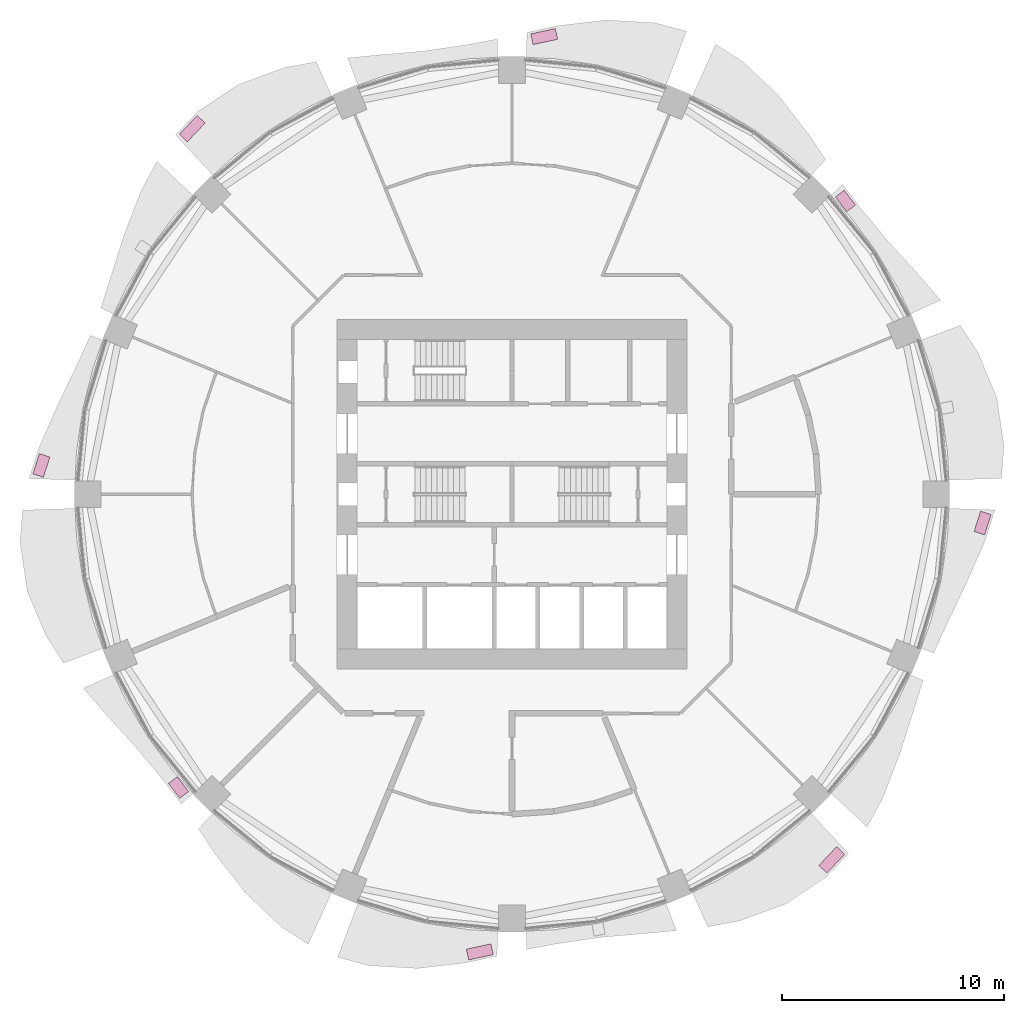
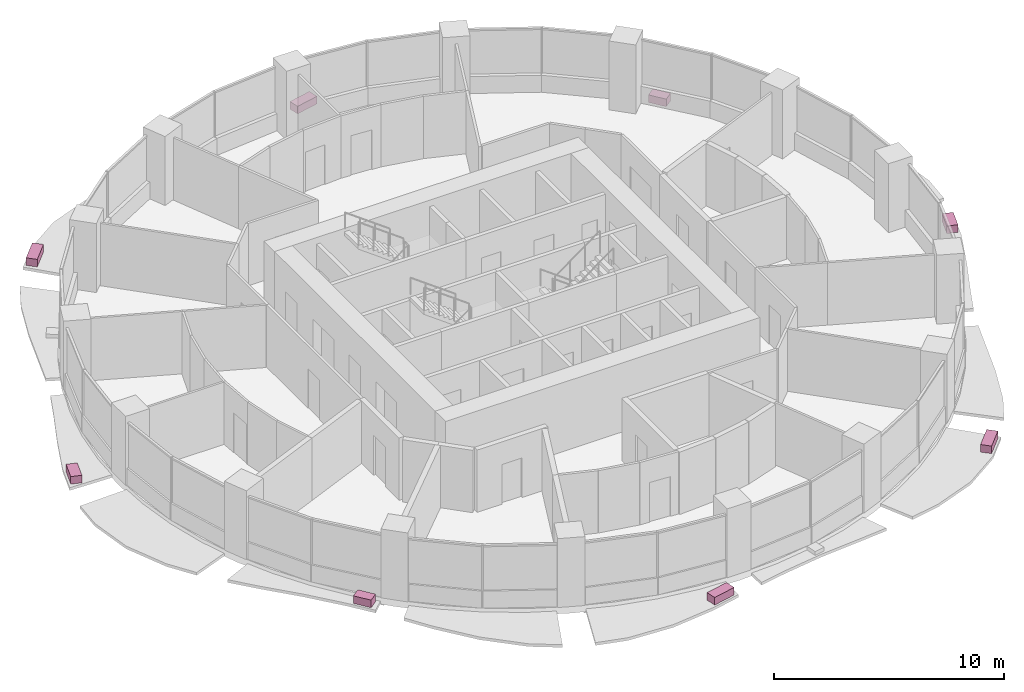
# One storey, part 15 of 15: 8 furniture elements.
"""IFC4 building model written with IfcOpenShell, lengths in metres."""

from ifc_helpers import new_model, si_unit, direction, frame, origin, origin_2d, place, context, subcontext, project, spatial, rectangle, extrude, material, type_object, element, save


model = new_model("IFC4")

# Units and contexts
model_context = context("Model", 3, precision=1e-05, world=origin(), true_north=direction((0.0, 1.0)))
body_context = subcontext(model_context, "Body", "Model", "MODEL_VIEW")
ifc_project = project(units=[si_unit("LENGTHUNIT", "METRE"), si_unit("AREAUNIT", "SQUARE_METRE"), si_unit("VOLUMEUNIT", "CUBIC_METRE"), si_unit("PLANEANGLEUNIT", "RADIAN"), si_unit("MASSUNIT", "GRAM", prefix="KILO")], contexts=[model_context])

# Site, building, storey
site_placement = place(None, origin())
site = spatial("IfcSite", under=ifc_project, at=site_placement, CompositionType="ELEMENT")
building_placement = place(site_placement, origin())
building = spatial("IfcBuilding", under=site, at=building_placement, Name="Polderwave Tower", CompositionType="ELEMENT")
storey_placement = place(building_placement, frame((0.0, 0.0, 40.800048828125)))
storey = spatial("IfcBuildingStorey", under=building, at=storey_placement, Name="L10", CompositionType="ELEMENT", Elevation=40.800048828125)

# Furniture
ifc_material = material(Name="Terracotta", Category="masonry")
furniture_type = type_object("IfcFurnitureType", Name="Terracotta planting trough", AssemblyPlace="NOTDEFINED", PredefinedType="USERDEFINED", material=ifc_material)
furniture_1_placement = place(storey_placement, frame((15.01904296875, 13.210205078125, -0.199951171875), z_axis=(0.0, 0.0, 1.0), x_axis=(-0.605161997593, 0.796102353136, 0.0)))
element("IfcFurniture", 1, at=furniture_1_placement, inside=storey, type_object=furniture_type, Name="Planting trough L10 2", ObjectType="PLANTER", PredefinedType="USERDEFINED", context=body_context, shape_type="SweptSolid", body=[
    extrude(rectangle(XDim=0.84228515625, YDim=0.5, at=origin_2d()), origin(), (0.0, 0.0, 1.0), 0.39990234375),
])
furniture_2_placement = place(storey_placement, frame((1.45068359375, 20.613037109375, -0.199951171875), z_axis=(0.0, 0.0, 1.0), x_axis=(-0.97728514144, -0.211928649125, 0.0)))
element("IfcFurniture", 2, at=furniture_2_placement, inside=storey, type_object=furniture_type, Name="Planting trough L10 4", ObjectType="PLANTER", PredefinedType="USERDEFINED", context=body_context, shape_type="SweptSolid", body=[
    extrude(rectangle(XDim=1.13720703125, YDim=0.5, at=origin_2d()), origin(), (0.0, 0.0, 1.0), 0.39990234375),
])
furniture_3_placement = place(storey_placement, frame((-14.400634765625, 16.468017578125, -0.199951171875), z_axis=(0.0, 0.0, 1.0), x_axis=(-0.687407008568, -0.726272403834, 0.0)))
element("IfcFurniture", 3, at=furniture_3_placement, inside=storey, type_object=furniture_type, Name="Planting trough L10 6", ObjectType="PLANTER", PredefinedType="USERDEFINED", context=body_context, shape_type="SweptSolid", body=[
    extrude(rectangle(XDim=1.168701171875, YDim=0.5, at=origin_2d()), origin(), (0.0, 0.0, 1.0), 0.39990234375),
])
furniture_4_placement = place(storey_placement, frame((-21.19677734375, 1.29541015625, -0.199951171875), z_axis=(0.0, 0.0, 1.0), x_axis=(-0.304493595479, -0.952514383257, 0.0)))
element("IfcFurniture", 4, at=furniture_4_placement, inside=storey, type_object=furniture_type, Name="Planting trough L10 8", ObjectType="PLANTER", PredefinedType="USERDEFINED", context=body_context, shape_type="SweptSolid", body=[
    extrude(rectangle(XDim=0.962890625, YDim=0.5, at=origin_2d()), origin(), (0.0, 0.0, 1.0), 0.39990234375),
])
furniture_5_placement = place(storey_placement, frame((-15.01904296875, -13.210205078125, -0.199951171875), z_axis=(0.0, 0.0, 1.0), x_axis=(0.605161997593, -0.796102353136, 0.0)))
element("IfcFurniture", 5, at=furniture_5_placement, inside=storey, type_object=furniture_type, Name="Planting trough L10 10", ObjectType="PLANTER", PredefinedType="USERDEFINED", context=body_context, shape_type="SweptSolid", body=[
    extrude(rectangle(XDim=0.84228515625, YDim=0.5, at=origin_2d()), origin(), (0.0, 0.0, 1.0), 0.39990234375),
])
furniture_6_placement = place(storey_placement, frame((-1.45068359375, -20.613037109375, -0.199951171875), z_axis=(0.0, 0.0, 1.0), x_axis=(0.97728514144, 0.211928649125, 0.0)))
element("IfcFurniture", 6, at=furniture_6_placement, inside=storey, type_object=furniture_type, Name="Planting trough L10 12", ObjectType="PLANTER", PredefinedType="USERDEFINED", context=body_context, shape_type="SweptSolid", body=[
    extrude(rectangle(XDim=1.13720703125, YDim=0.5, at=origin_2d()), origin(), (0.0, 0.0, 1.0), 0.39990234375),
])
furniture_7_placement = place(storey_placement, frame((14.400634765625, -16.468017578125, -0.199951171875), z_axis=(0.0, 0.0, 1.0), x_axis=(0.687407008568, 0.726272403834, 0.0)))
element("IfcFurniture", 7, at=furniture_7_placement, inside=storey, type_object=furniture_type, Name="Planting trough L10 14", ObjectType="PLANTER", PredefinedType="USERDEFINED", context=body_context, shape_type="SweptSolid", body=[
    extrude(rectangle(XDim=1.168701171875, YDim=0.5, at=origin_2d()), origin(), (0.0, 0.0, 1.0), 0.39990234375),
])
furniture_8_placement = place(storey_placement, frame((21.19677734375, -1.29541015625, -0.199951171875), z_axis=(0.0, 0.0, 1.0), x_axis=(0.304493595479, 0.952514383257, 0.0)))
element("IfcFurniture", 8, at=furniture_8_placement, inside=storey, type_object=furniture_type, Name="Planting trough L10 16", ObjectType="PLANTER", PredefinedType="USERDEFINED", context=body_context, shape_type="SweptSolid", body=[
    extrude(rectangle(XDim=0.962890625, YDim=0.5, at=origin_2d()), origin(), (0.0, 0.0, 1.0), 0.39990234375),
])

save(model, "model.ifc")
